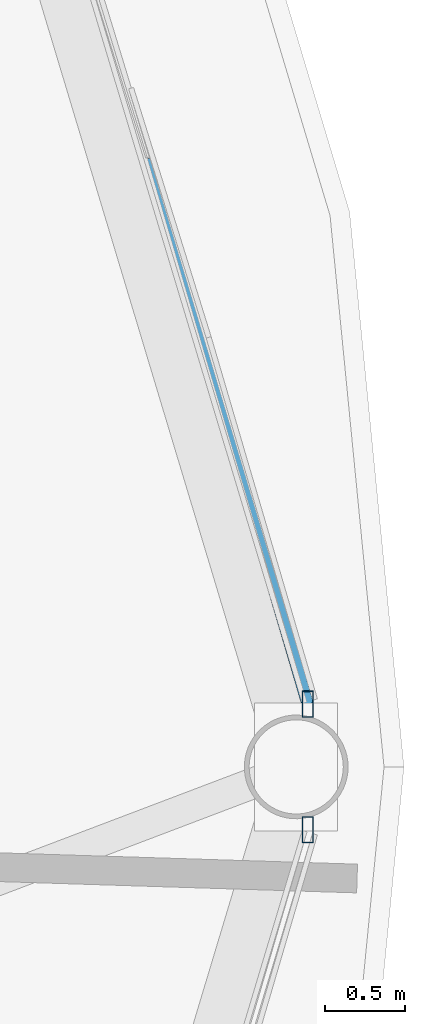
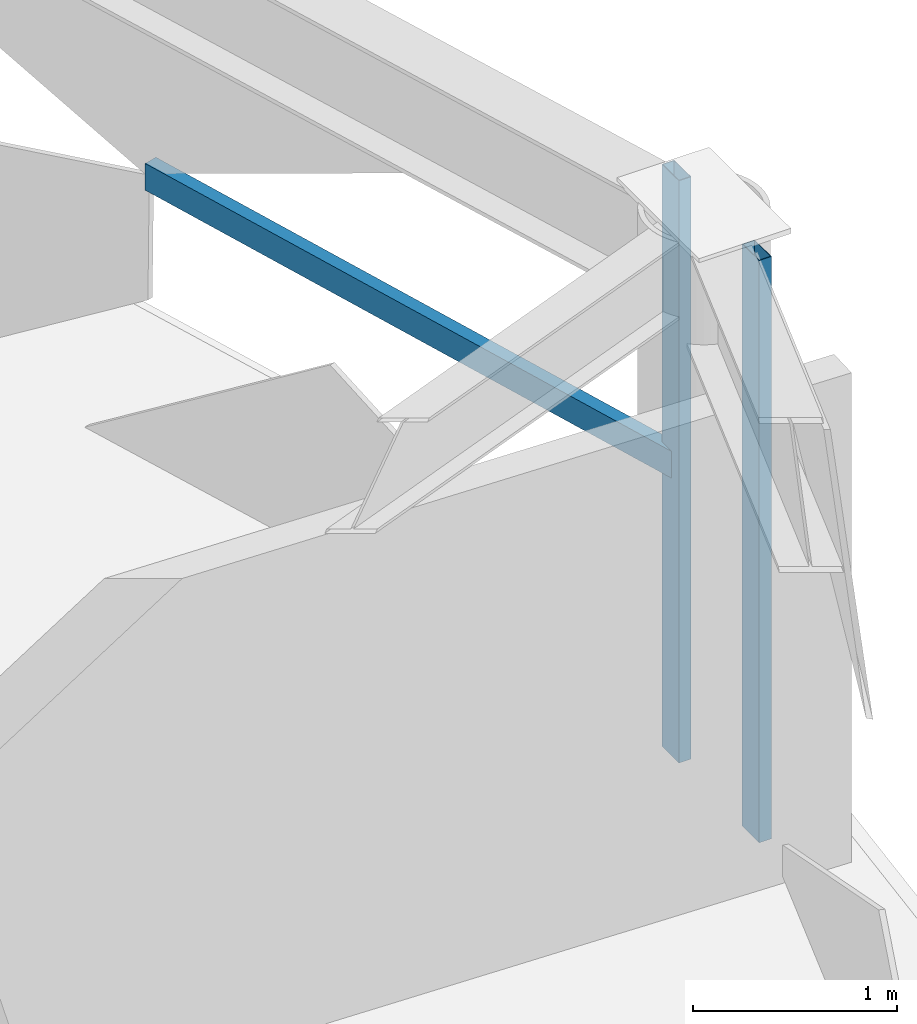
# One storey, part 13 of 28: 3 members, 2 elements without a shape of their own.
"""IFC4 building model written with IfcOpenShell, lengths in metres."""

from ifc_helpers import new_model, si_unit, direction, frame, origin, origin_2d, place, context, subcontext, project, spatial, hollow_rectangle, extrude, material, layer, layer_set, material_profile, profile_set, type_object, element, aggregate, save


model = new_model("IFC4")

# Units and contexts
model_context = context("Model", 3, precision=1e-05, world=origin(), true_north=direction((0.0, 1.0)))
body_context = subcontext(model_context, "Body", "Model", "MODEL_VIEW")
ifc_project = project(units=[si_unit("LENGTHUNIT", "METRE"), si_unit("AREAUNIT", "SQUARE_METRE"), si_unit("VOLUMEUNIT", "CUBIC_METRE"), si_unit("PLANEANGLEUNIT", "RADIAN"), si_unit("MASSUNIT", "GRAM", prefix="KILO")], contexts=[model_context])

# Site, building, storey
site_placement = place(None, origin())
site = spatial("IfcSite", under=ifc_project, at=site_placement, CompositionType="ELEMENT")
building_placement = place(site_placement, origin())
building = spatial("IfcBuilding", under=site, at=building_placement, Name="Vantalir Tower", CompositionType="ELEMENT")
storey_placement = place(building_placement, frame((0.0, 0.0, 238.64990234375)))
storey = spatial("IfcBuildingStorey", under=building, at=storey_placement, Name="L60", CompositionType="ELEMENT", Elevation=238.64990234375)

# Curtain wall, member
ifc_material_1 = material(Name="Champagne-silver PVDF aluminium and double-silver Low-E glass", Category="aluminium")
ifc_layer = layer(ifc_material_1, 0.2099609375)
ifc_layer_set = layer_set([ifc_layer], Name="Champagne-silver PVDF aluminium and double-silver Low-E glass")
curtain_wall_type = type_object("IfcCurtainWallType", Name="CW-DIAMOND-Z3", PredefinedType="USERDEFINED", material=ifc_layer_set)
curtain_wall_1_placement = place(storey_placement, origin())
curtain_wall_1 = element("IfcCurtainWall", 1, at=curtain_wall_1_placement, inside=storey, type_object=curtain_wall_type, Name="L60 Quilted Pyramid-Diamond Curtain Wall S01", ObjectType="UNITISED CURTAIN WALL", PredefinedType="USERDEFINED")
ifc_material_2 = material(Name="Champagne-silver PVDF aluminium 6063-T6", Category="aluminium")
ifc_material_profile_1 = material_profile(ifc_material_2, hollow_rectangle(XDim=0.070068359375, YDim=0.1650390625, WallThickness=0.00390625, at=origin_2d()), Name="Champagne-silver PVDF aluminium 6063-T6")
ifc_profile_set_1 = profile_set([ifc_material_profile_1], Name="Champagne-silver PVDF aluminium 6063-T6")
member_type_1 = type_object("IfcMemberType", Name="CWM-165x70", PredefinedType="MULLION", material=ifc_profile_set_1)
member_1_placement = place(storey_placement, frame((53.2900390625, 25.39306640625, 0.045166015625), z_axis=(0.0, 0.0, 1.0), x_axis=(1.0, 0.0, 0.0)))
member_1 = element("IfcMember", 2, at=member_1_placement, type_object=member_type_1, Name="CW-L60-S01 Mullion 1", PredefinedType="MULLION", context=body_context, shape_type="SweptSolid", body=[
    extrude(hollow_rectangle(XDim=0.070068359375, YDim=0.1650390625, WallThickness=0.00390625, at=origin_2d()), origin(), (0.0, 0.0, 1.0), 3.47998046875),
])

curtain_wall_2_placement = place(storey_placement, origin())
curtain_wall_2 = element("IfcCurtainWall", 3, at=curtain_wall_2_placement, inside=storey, type_object=curtain_wall_type, Name="L60 Quilted Pyramid-Diamond Curtain Wall S12", ObjectType="UNITISED CURTAIN WALL", PredefinedType="USERDEFINED")
member_2_placement = place(storey_placement, frame((53.2900390625, 24.60693359375, 0.045166015625), z_axis=(0.0, 0.0, 1.0), x_axis=(1.0, 0.0, 0.0)))
member_2 = element("IfcMember", 4, at=member_2_placement, type_object=member_type_1, Name="CW-L60-S12 Mullion 2", PredefinedType="MULLION", context=body_context, shape_type="SweptSolid", body=[
    extrude(hollow_rectangle(XDim=0.070068359375, YDim=0.1650390625, WallThickness=0.00390625, at=origin_2d()), origin(), (0.0, 0.0, 1.0), 3.47998046875),
])
aggregate(curtain_wall_2, [member_2])

# Member
ifc_material_profile_2 = material_profile(ifc_material_2, hollow_rectangle(XDim=0.074951171875, YDim=0.159912109375, WallThickness=0.00390625, at=origin_2d()), Name="Champagne-silver PVDF aluminium 6063-T6")
ifc_profile_set_2 = profile_set([ifc_material_profile_2], Name="Champagne-silver PVDF aluminium 6063-T6")
member_type_2 = type_object("IfcMemberType", Name="CWT-160x75", PredefinedType="USERDEFINED", material=ifc_profile_set_2)
member_3_placement = place(storey_placement, frame((53.2900390625, 25.39306640625, 1.78515625), z_axis=(-0.281527466981, 0.959553169624, 0.0), x_axis=(-0.959553169624, -0.281527466981, 0.0)))
member_3 = element("IfcMember", 5, at=member_3_placement, type_object=member_type_2, Name="CW-L60-S01 Pyramid Fold Ridge Transom", ObjectType="TRANSOM", PredefinedType="USERDEFINED", context=body_context, shape_type="SweptSolid", body=[
    extrude(hollow_rectangle(XDim=0.074951171875, YDim=0.159912109375, WallThickness=0.00390625, at=origin_2d()), origin(), (0.0, 0.0, 1.0), 3.55908203125),
])

aggregate(curtain_wall_1, [member_1, member_3])

save(model, "model.ifc")
